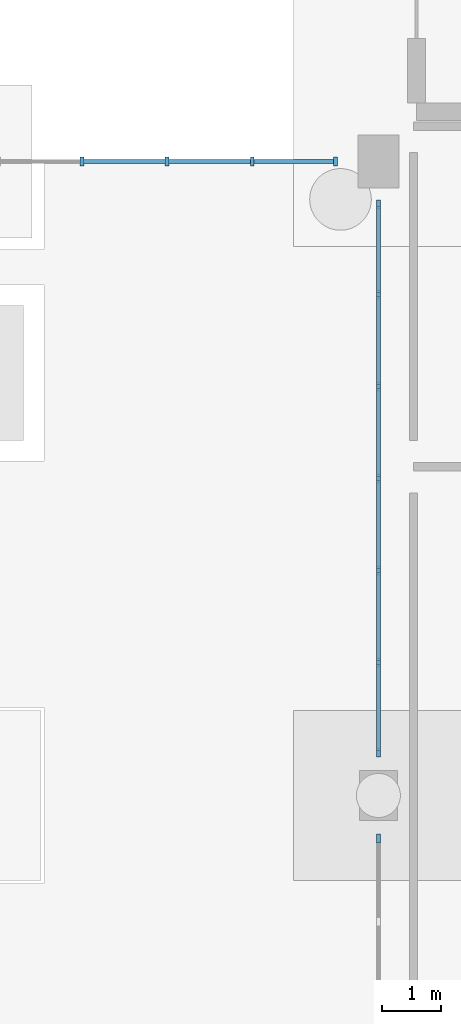
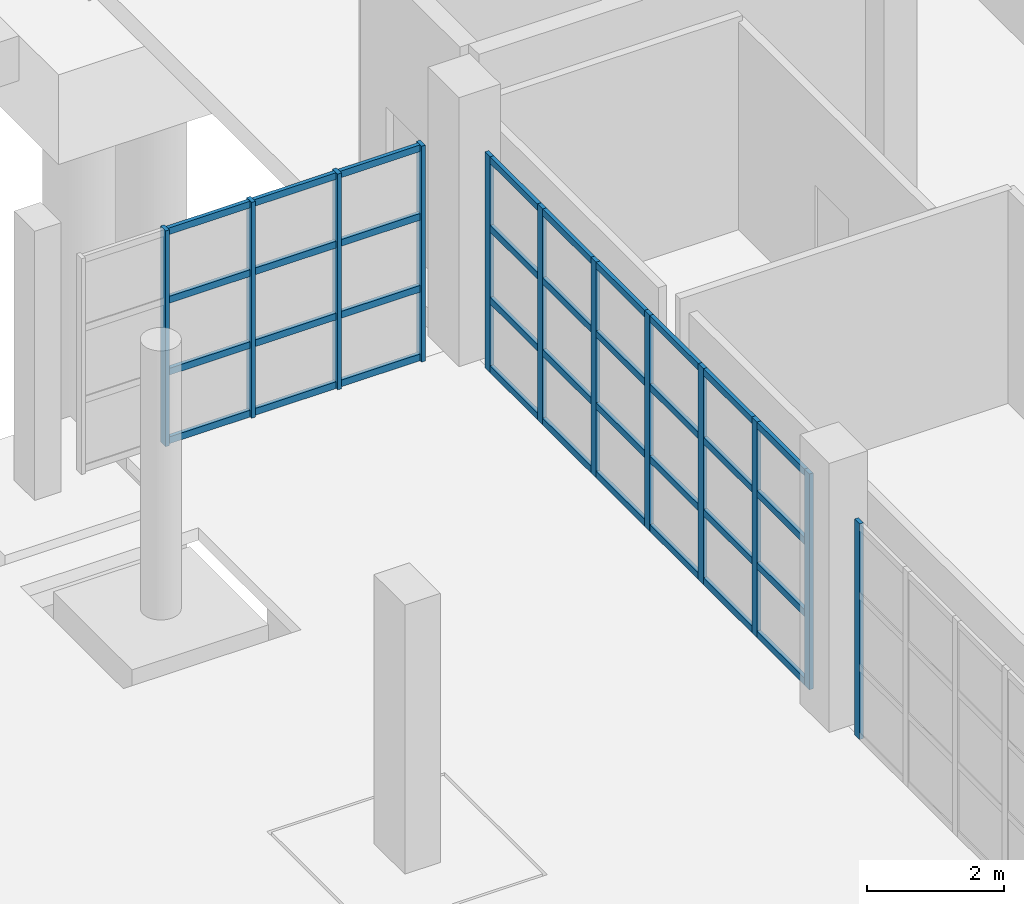
# One storey, part 115 of 285: 48 members, 3 elements without a shape of their own.
"""IFC4 building model written with IfcOpenShell, lengths in metres."""

from ifc_helpers import new_model, si_unit, direction, frame, origin, origin_2d, place, context, subcontext, project, spatial, rectangle, extrude, material, material_profile, profile_set, type_object, element, aggregate, save


model = new_model("IFC4")

# Units and contexts
model_context = context("Model", 3, precision=1e-05, world=origin(), true_north=direction((0.0, 1.0)))
body_context = subcontext(model_context, "Body", "Model", "MODEL_VIEW")
ifc_project = project(units=[si_unit("LENGTHUNIT", "METRE"), si_unit("AREAUNIT", "SQUARE_METRE"), si_unit("VOLUMEUNIT", "CUBIC_METRE"), si_unit("PLANEANGLEUNIT", "RADIAN"), si_unit("MASSUNIT", "GRAM", prefix="KILO")], contexts=[model_context])

# Site, building, storey
site_placement = place(None, origin())
site = spatial("IfcSite", under=ifc_project, at=site_placement, CompositionType="ELEMENT")
building_placement = place(site_placement, origin())
building = spatial("IfcBuilding", under=site, at=building_placement, Name="Solanera Park Tramway Depot", CompositionType="ELEMENT")
storey_placement = place(building_placement, origin())
storey = spatial("IfcBuildingStorey", under=building, at=storey_placement, Name="L00", CompositionType="ELEMENT", Elevation=0.0)

# Curtain wall, members
ifc_material_1 = material(Name="Bronze-anodised thermally broken aluminium curtain wall", Category="aluminium")
curtain_wall_type = type_object("IfcCurtainWallType", Name="Courtyard Cloister Unitised Curtain Wall", PredefinedType="NOTDEFINED", material=ifc_material_1)
curtain_wall_1_placement = place(storey_placement, origin())
curtain_wall_1 = element("IfcCurtainWall", 1, at=curtain_wall_1_placement, inside=storey, type_object=curtain_wall_type, Name="L00 Courtyard Cloister Unitised Curtain Wall #083", PredefinedType="NOTDEFINED")
ifc_material_2 = material(Name="Bronze-anodised structural aluminium 6063-T6", Category="aluminium")
ifc_material_profile_1 = material_profile(ifc_material_2, rectangle(XDim=0.06494140625, YDim=0.14990234375, at=origin_2d()), Name="Curtain Wall Mullion 65x150")
ifc_profile_set_1 = profile_set([ifc_material_profile_1], Name="Bronze-anodised structural aluminium 6063-T6")
member_type_1 = type_object("IfcMemberType", Name="Curtain Wall Mullion 65x150", PredefinedType="MULLION", material=ifc_profile_set_1)
member_1_placement = place(storey_placement, frame((164.867431640625, 43.199951171875, 0.0), z_axis=(0.0, 0.0, 1.0), x_axis=(1.0, 0.0, 0.0)))
member_1 = element("IfcMember", 2, at=member_1_placement, type_object=member_type_1, Name="CW-L00-083 Mullion 1", PredefinedType="MULLION", context=body_context, shape_type="SweptSolid", body=[
    extrude(rectangle(XDim=0.06494140625, YDim=0.14990234375, at=origin_2d()), origin(), (0.0, 0.0, 1.0), 3.85009765625),
])
member_2_placement = place(storey_placement, frame((163.449951171875, 43.199951171875, 0.0), z_axis=(0.0, 0.0, 1.0), x_axis=(1.0, 0.0, 0.0)))
member_2 = element("IfcMember", 3, at=member_2_placement, type_object=member_type_1, Name="CW-L00-083 Mullion 2", PredefinedType="MULLION", context=body_context, shape_type="SweptSolid", body=[
    extrude(rectangle(XDim=0.06494140625, YDim=0.14990234375, at=origin_2d()), origin(), (0.0, 0.0, 1.0), 3.85009765625),
])
member_3_placement = place(storey_placement, frame((162.0, 43.199951171875, 0.0), z_axis=(0.0, 0.0, 1.0), x_axis=(1.0, 0.0, 0.0)))
member_3 = element("IfcMember", 4, at=member_3_placement, type_object=member_type_1, Name="CW-L00-083 Mullion 3", PredefinedType="MULLION", context=body_context, shape_type="SweptSolid", body=[
    extrude(rectangle(XDim=0.06494140625, YDim=0.14990234375, at=origin_2d()), origin(), (0.0, 0.0, 1.0), 3.85009765625),
])
member_4_placement = place(storey_placement, frame((160.550048828125, 43.199951171875, 0.0), z_axis=(0.0, 0.0, 1.0), x_axis=(1.0, 0.0, 0.0)))
member_4 = element("IfcMember", 5, at=member_4_placement, type_object=member_type_1, Name="CW-L00-083 Mullion 4", PredefinedType="MULLION", context=body_context, shape_type="SweptSolid", body=[
    extrude(rectangle(XDim=0.06494140625, YDim=0.14990234375, at=origin_2d()), origin(), (0.0, 0.0, 1.0), 3.85009765625),
])

# Curtain wall, member
curtain_wall_2_placement = place(storey_placement, origin())
curtain_wall_2 = element("IfcCurtainWall", 6, at=curtain_wall_2_placement, inside=storey, type_object=curtain_wall_type, Name="L00 Courtyard Cloister Unitised Curtain Wall #085", PredefinedType="NOTDEFINED")
member_5_placement = place(storey_placement, frame((165.60009765625, 31.66748046875, 0.0), z_axis=(0.0, 0.0, 1.0), x_axis=(1.0, 0.0, 0.0)))
member_5 = element("IfcMember", 7, at=member_5_placement, type_object=member_type_1, Name="CW-L00-085 Mullion 1", PredefinedType="MULLION", context=body_context, shape_type="SweptSolid", body=[
    extrude(rectangle(XDim=0.06494140625, YDim=0.14990234375, at=origin_2d()), origin(), (0.0, 0.0, 1.0), 3.85009765625),
])
aggregate(curtain_wall_2, [member_5])

# Curtain wall, members
curtain_wall_3_placement = place(storey_placement, origin())
curtain_wall_3 = element("IfcCurtainWall", 8, at=curtain_wall_3_placement, inside=storey, type_object=curtain_wall_type, Name="L00 Courtyard Cloister Unitised Curtain Wall #087", PredefinedType="NOTDEFINED")
member_6_placement = place(storey_placement, frame((165.60009765625, 42.467529296875, 0.0), z_axis=(0.0, 0.0, 1.0), x_axis=(1.0, 0.0, 0.0)))
member_6 = element("IfcMember", 9, at=member_6_placement, type_object=member_type_1, Name="CW-L00-087 Mullion 1", PredefinedType="MULLION", context=body_context, shape_type="SweptSolid", body=[
    extrude(rectangle(XDim=0.06494140625, YDim=0.14990234375, at=origin_2d()), origin(), (0.0, 0.0, 1.0), 3.85009765625),
])
member_7_placement = place(storey_placement, frame((165.60009765625, 40.933349609375, 0.0), z_axis=(0.0, 0.0, 1.0), x_axis=(1.0, 0.0, 0.0)))
member_7 = element("IfcMember", 10, at=member_7_placement, type_object=member_type_1, Name="CW-L00-087 Mullion 2", PredefinedType="MULLION", context=body_context, shape_type="SweptSolid", body=[
    extrude(rectangle(XDim=0.06494140625, YDim=0.14990234375, at=origin_2d()), origin(), (0.0, 0.0, 1.0), 3.85009765625),
])
member_8_placement = place(storey_placement, frame((165.60009765625, 39.36669921875, 0.0), z_axis=(0.0, 0.0, 1.0), x_axis=(1.0, 0.0, 0.0)))
member_8 = element("IfcMember", 11, at=member_8_placement, type_object=member_type_1, Name="CW-L00-087 Mullion 3", PredefinedType="MULLION", context=body_context, shape_type="SweptSolid", body=[
    extrude(rectangle(XDim=0.06494140625, YDim=0.14990234375, at=origin_2d()), origin(), (0.0, 0.0, 1.0), 3.85009765625),
])
member_9_placement = place(storey_placement, frame((165.60009765625, 37.800048828125, 0.0), z_axis=(0.0, 0.0, 1.0), x_axis=(1.0, 0.0, 0.0)))
member_9 = element("IfcMember", 12, at=member_9_placement, type_object=member_type_1, Name="CW-L00-087 Mullion 4", PredefinedType="MULLION", context=body_context, shape_type="SweptSolid", body=[
    extrude(rectangle(XDim=0.06494140625, YDim=0.14990234375, at=origin_2d()), origin(), (0.0, 0.0, 1.0), 3.85009765625),
])
member_10_placement = place(storey_placement, frame((165.60009765625, 36.2333984375, 0.0), z_axis=(0.0, 0.0, 1.0), x_axis=(1.0, 0.0, 0.0)))
member_10 = element("IfcMember", 13, at=member_10_placement, type_object=member_type_1, Name="CW-L00-087 Mullion 5", PredefinedType="MULLION", context=body_context, shape_type="SweptSolid", body=[
    extrude(rectangle(XDim=0.06494140625, YDim=0.14990234375, at=origin_2d()), origin(), (0.0, 0.0, 1.0), 3.85009765625),
])
member_11_placement = place(storey_placement, frame((165.60009765625, 34.666748046875, 0.0), z_axis=(0.0, 0.0, 1.0), x_axis=(1.0, 0.0, 0.0)))
member_11 = element("IfcMember", 14, at=member_11_placement, type_object=member_type_1, Name="CW-L00-087 Mullion 6", PredefinedType="MULLION", context=body_context, shape_type="SweptSolid", body=[
    extrude(rectangle(XDim=0.06494140625, YDim=0.14990234375, at=origin_2d()), origin(), (0.0, 0.0, 1.0), 3.85009765625),
])
member_12_placement = place(storey_placement, frame((165.60009765625, 33.132568359375, 0.0), z_axis=(0.0, 0.0, 1.0), x_axis=(1.0, 0.0, 0.0)))
member_12 = element("IfcMember", 15, at=member_12_placement, type_object=member_type_1, Name="CW-L00-087 Mullion 7", PredefinedType="MULLION", context=body_context, shape_type="SweptSolid", body=[
    extrude(rectangle(XDim=0.06494140625, YDim=0.14990234375, at=origin_2d()), origin(), (0.0, 0.0, 1.0), 3.85009765625),
])

# Member
ifc_material_3 = material(Name="Bronze-anodised structural aluminium 6063-T6", Category="aluminium")
ifc_material_profile_2 = material_profile(ifc_material_3, rectangle(XDim=0.06494140625, YDim=0.1201171875, at=origin_2d()), Name="Curtain Wall Transom 65x120")
ifc_profile_set_2 = profile_set([ifc_material_profile_2], Name="Bronze-anodised structural aluminium 6063-T6")
member_type_2 = type_object("IfcMemberType", Name="Curtain Wall Transom 65x120", PredefinedType="USERDEFINED", material=ifc_profile_set_2)
member_13_placement = place(storey_placement, frame((164.839599609375, 43.199951171875, 0.06005859375), z_axis=(-1.0, 0.0, 0.0), x_axis=(0.0, -1.0, 0.0)))
member_13 = element("IfcMember", 16, at=member_13_placement, type_object=member_type_2, Name="CW-L00-083 Transom R1.C1", ObjectType="TRANSOM", PredefinedType="USERDEFINED", context=body_context, shape_type="SweptSolid", body=[
    extrude(rectangle(XDim=0.06494140625, YDim=0.1201171875, at=origin_2d()), origin(), (0.0, 0.0, 1.0), 1.361572265625),
])

member_14_placement = place(storey_placement, frame((163.422119140625, 43.199951171875, 0.06005859375), z_axis=(-1.0, 0.0, 0.0), x_axis=(0.0, -1.0, 0.0)))
member_14 = element("IfcMember", 17, at=member_14_placement, type_object=member_type_2, Name="CW-L00-083 Transom R1.C2", ObjectType="TRANSOM", PredefinedType="USERDEFINED", context=body_context, shape_type="SweptSolid", body=[
    extrude(rectangle(XDim=0.06494140625, YDim=0.1201171875, at=origin_2d()), origin(), (0.0, 0.0, 1.0), 1.39404296875),
])

member_15_placement = place(storey_placement, frame((161.971923828125, 43.199951171875, 0.06005859375), z_axis=(-1.0, 0.0, 0.0), x_axis=(0.0, -1.0, 0.0)))
member_15 = element("IfcMember", 18, at=member_15_placement, type_object=member_type_2, Name="CW-L00-083 Transom R1.C3", ObjectType="TRANSOM", PredefinedType="USERDEFINED", context=body_context, shape_type="SweptSolid", body=[
    extrude(rectangle(XDim=0.06494140625, YDim=0.1201171875, at=origin_2d()), origin(), (0.0, 0.0, 1.0), 1.39404296875),
])

member_16_placement = place(storey_placement, frame((164.839599609375, 43.199951171875, 1.283203125), z_axis=(-1.0, 0.0, 0.0), x_axis=(0.0, -1.0, 0.0)))
member_16 = element("IfcMember", 19, at=member_16_placement, type_object=member_type_2, Name="CW-L00-083 Transom R2.C1", ObjectType="TRANSOM", PredefinedType="USERDEFINED", context=body_context, shape_type="SweptSolid", body=[
    extrude(rectangle(XDim=0.06494140625, YDim=0.1201171875, at=origin_2d()), origin(), (0.0, 0.0, 1.0), 1.361572265625),
])

member_17_placement = place(storey_placement, frame((163.422119140625, 43.199951171875, 1.283203125), z_axis=(-1.0, 0.0, 0.0), x_axis=(0.0, -1.0, 0.0)))
member_17 = element("IfcMember", 20, at=member_17_placement, type_object=member_type_2, Name="CW-L00-083 Transom R2.C2", ObjectType="TRANSOM", PredefinedType="USERDEFINED", context=body_context, shape_type="SweptSolid", body=[
    extrude(rectangle(XDim=0.06494140625, YDim=0.1201171875, at=origin_2d()), origin(), (0.0, 0.0, 1.0), 1.39404296875),
])

member_18_placement = place(storey_placement, frame((161.971923828125, 43.199951171875, 1.283203125), z_axis=(-1.0, 0.0, 0.0), x_axis=(0.0, -1.0, 0.0)))
member_18 = element("IfcMember", 21, at=member_18_placement, type_object=member_type_2, Name="CW-L00-083 Transom R2.C3", ObjectType="TRANSOM", PredefinedType="USERDEFINED", context=body_context, shape_type="SweptSolid", body=[
    extrude(rectangle(XDim=0.06494140625, YDim=0.1201171875, at=origin_2d()), origin(), (0.0, 0.0, 1.0), 1.39404296875),
])

member_19_placement = place(storey_placement, frame((164.839599609375, 43.199951171875, 2.566650390625), z_axis=(-1.0, 0.0, 0.0), x_axis=(0.0, -1.0, 0.0)))
member_19 = element("IfcMember", 22, at=member_19_placement, type_object=member_type_2, Name="CW-L00-083 Transom R3.C1", ObjectType="TRANSOM", PredefinedType="USERDEFINED", context=body_context, shape_type="SweptSolid", body=[
    extrude(rectangle(XDim=0.06494140625, YDim=0.1201171875, at=origin_2d()), origin(), (0.0, 0.0, 1.0), 1.361572265625),
])

member_20_placement = place(storey_placement, frame((163.422119140625, 43.199951171875, 2.566650390625), z_axis=(-1.0, 0.0, 0.0), x_axis=(0.0, -1.0, 0.0)))
member_20 = element("IfcMember", 23, at=member_20_placement, type_object=member_type_2, Name="CW-L00-083 Transom R3.C2", ObjectType="TRANSOM", PredefinedType="USERDEFINED", context=body_context, shape_type="SweptSolid", body=[
    extrude(rectangle(XDim=0.06494140625, YDim=0.1201171875, at=origin_2d()), origin(), (0.0, 0.0, 1.0), 1.39404296875),
])

member_21_placement = place(storey_placement, frame((161.971923828125, 43.199951171875, 2.566650390625), z_axis=(-1.0, 0.0, 0.0), x_axis=(0.0, -1.0, 0.0)))
member_21 = element("IfcMember", 24, at=member_21_placement, type_object=member_type_2, Name="CW-L00-083 Transom R3.C3", ObjectType="TRANSOM", PredefinedType="USERDEFINED", context=body_context, shape_type="SweptSolid", body=[
    extrude(rectangle(XDim=0.06494140625, YDim=0.1201171875, at=origin_2d()), origin(), (0.0, 0.0, 1.0), 1.39404296875),
])

member_22_placement = place(storey_placement, frame((164.839599609375, 43.199951171875, 3.7900390625), z_axis=(-1.0, 0.0, 0.0), x_axis=(0.0, -1.0, 0.0)))
member_22 = element("IfcMember", 25, at=member_22_placement, type_object=member_type_2, Name="CW-L00-083 Transom R4.C1", ObjectType="TRANSOM", PredefinedType="USERDEFINED", context=body_context, shape_type="SweptSolid", body=[
    extrude(rectangle(XDim=0.06494140625, YDim=0.1201171875, at=origin_2d()), origin(), (0.0, 0.0, 1.0), 1.361572265625),
])

member_23_placement = place(storey_placement, frame((163.422119140625, 43.199951171875, 3.7900390625), z_axis=(-1.0, 0.0, 0.0), x_axis=(0.0, -1.0, 0.0)))
member_23 = element("IfcMember", 26, at=member_23_placement, type_object=member_type_2, Name="CW-L00-083 Transom R4.C2", ObjectType="TRANSOM", PredefinedType="USERDEFINED", context=body_context, shape_type="SweptSolid", body=[
    extrude(rectangle(XDim=0.06494140625, YDim=0.1201171875, at=origin_2d()), origin(), (0.0, 0.0, 1.0), 1.39404296875),
])

member_24_placement = place(storey_placement, frame((161.971923828125, 43.199951171875, 3.7900390625), z_axis=(-1.0, 0.0, 0.0), x_axis=(0.0, -1.0, 0.0)))
member_24 = element("IfcMember", 27, at=member_24_placement, type_object=member_type_2, Name="CW-L00-083 Transom R4.C3", ObjectType="TRANSOM", PredefinedType="USERDEFINED", context=body_context, shape_type="SweptSolid", body=[
    extrude(rectangle(XDim=0.06494140625, YDim=0.1201171875, at=origin_2d()), origin(), (0.0, 0.0, 1.0), 1.39404296875),
])

aggregate(curtain_wall_1, [member_1, member_2, member_3, member_4, member_13, member_14, member_15, member_16, member_17, member_18, member_19, member_20, member_21, member_22, member_23, member_24])

member_25_placement = place(storey_placement, frame((165.60009765625, 42.439453125, 0.06005859375), z_axis=(0.0, -1.0, 0.0), x_axis=(1.0, 0.0, 0.0)))
member_25 = element("IfcMember", 28, at=member_25_placement, type_object=member_type_2, Name="CW-L00-087 Transom R1.C1", ObjectType="TRANSOM", PredefinedType="USERDEFINED", context=body_context, shape_type="SweptSolid", body=[
    extrude(rectangle(XDim=0.06494140625, YDim=0.1201171875, at=origin_2d()), origin(), (0.0, 0.0, 1.0), 1.478271484375),
])

member_26_placement = place(storey_placement, frame((165.60009765625, 40.9052734375, 0.06005859375), z_axis=(0.0, -1.0, 0.0), x_axis=(1.0, 0.0, 0.0)))
member_26 = element("IfcMember", 29, at=member_26_placement, type_object=member_type_2, Name="CW-L00-087 Transom R1.C2", ObjectType="TRANSOM", PredefinedType="USERDEFINED", context=body_context, shape_type="SweptSolid", body=[
    extrude(rectangle(XDim=0.06494140625, YDim=0.1201171875, at=origin_2d()), origin(), (0.0, 0.0, 1.0), 1.510498046875),
])

member_27_placement = place(storey_placement, frame((165.60009765625, 39.338623046875, 0.06005859375), z_axis=(0.0, -1.0, 0.0), x_axis=(1.0, 0.0, 0.0)))
member_27 = element("IfcMember", 30, at=member_27_placement, type_object=member_type_2, Name="CW-L00-087 Transom R1.C3", ObjectType="TRANSOM", PredefinedType="USERDEFINED", context=body_context, shape_type="SweptSolid", body=[
    extrude(rectangle(XDim=0.06494140625, YDim=0.1201171875, at=origin_2d()), origin(), (0.0, 0.0, 1.0), 1.5107421875),
])

member_28_placement = place(storey_placement, frame((165.60009765625, 37.77197265625, 0.06005859375), z_axis=(0.0, -1.0, 0.0), x_axis=(1.0, 0.0, 0.0)))
member_28 = element("IfcMember", 31, at=member_28_placement, type_object=member_type_2, Name="CW-L00-087 Transom R1.C4", ObjectType="TRANSOM", PredefinedType="USERDEFINED", context=body_context, shape_type="SweptSolid", body=[
    extrude(rectangle(XDim=0.06494140625, YDim=0.1201171875, at=origin_2d()), origin(), (0.0, 0.0, 1.0), 1.5107421875),
])

member_29_placement = place(storey_placement, frame((165.60009765625, 36.205322265625, 0.06005859375), z_axis=(0.0, -1.0, 0.0), x_axis=(1.0, 0.0, 0.0)))
member_29 = element("IfcMember", 32, at=member_29_placement, type_object=member_type_2, Name="CW-L00-087 Transom R1.C5", ObjectType="TRANSOM", PredefinedType="USERDEFINED", context=body_context, shape_type="SweptSolid", body=[
    extrude(rectangle(XDim=0.06494140625, YDim=0.1201171875, at=origin_2d()), origin(), (0.0, 0.0, 1.0), 1.5107421875),
])

member_30_placement = place(storey_placement, frame((165.60009765625, 34.638671875, 0.06005859375), z_axis=(0.0, -1.0, 0.0), x_axis=(1.0, 0.0, 0.0)))
member_30 = element("IfcMember", 33, at=member_30_placement, type_object=member_type_2, Name="CW-L00-087 Transom R1.C6", ObjectType="TRANSOM", PredefinedType="USERDEFINED", context=body_context, shape_type="SweptSolid", body=[
    extrude(rectangle(XDim=0.06494140625, YDim=0.1201171875, at=origin_2d()), origin(), (0.0, 0.0, 1.0), 1.478271484375),
])

member_31_placement = place(storey_placement, frame((165.60009765625, 42.439453125, 1.283203125), z_axis=(0.0, -1.0, 0.0), x_axis=(1.0, 0.0, 0.0)))
member_31 = element("IfcMember", 34, at=member_31_placement, type_object=member_type_2, Name="CW-L00-087 Transom R2.C1", ObjectType="TRANSOM", PredefinedType="USERDEFINED", context=body_context, shape_type="SweptSolid", body=[
    extrude(rectangle(XDim=0.06494140625, YDim=0.1201171875, at=origin_2d()), origin(), (0.0, 0.0, 1.0), 1.478271484375),
])

member_32_placement = place(storey_placement, frame((165.60009765625, 40.9052734375, 1.283203125), z_axis=(0.0, -1.0, 0.0), x_axis=(1.0, 0.0, 0.0)))
member_32 = element("IfcMember", 35, at=member_32_placement, type_object=member_type_2, Name="CW-L00-087 Transom R2.C2", ObjectType="TRANSOM", PredefinedType="USERDEFINED", context=body_context, shape_type="SweptSolid", body=[
    extrude(rectangle(XDim=0.06494140625, YDim=0.1201171875, at=origin_2d()), origin(), (0.0, 0.0, 1.0), 1.510498046875),
])

member_33_placement = place(storey_placement, frame((165.60009765625, 39.338623046875, 1.283203125), z_axis=(0.0, -1.0, 0.0), x_axis=(1.0, 0.0, 0.0)))
member_33 = element("IfcMember", 36, at=member_33_placement, type_object=member_type_2, Name="CW-L00-087 Transom R2.C3", ObjectType="TRANSOM", PredefinedType="USERDEFINED", context=body_context, shape_type="SweptSolid", body=[
    extrude(rectangle(XDim=0.06494140625, YDim=0.1201171875, at=origin_2d()), origin(), (0.0, 0.0, 1.0), 1.5107421875),
])

member_34_placement = place(storey_placement, frame((165.60009765625, 37.77197265625, 1.283203125), z_axis=(0.0, -1.0, 0.0), x_axis=(1.0, 0.0, 0.0)))
member_34 = element("IfcMember", 37, at=member_34_placement, type_object=member_type_2, Name="CW-L00-087 Transom R2.C4", ObjectType="TRANSOM", PredefinedType="USERDEFINED", context=body_context, shape_type="SweptSolid", body=[
    extrude(rectangle(XDim=0.06494140625, YDim=0.1201171875, at=origin_2d()), origin(), (0.0, 0.0, 1.0), 1.5107421875),
])

member_35_placement = place(storey_placement, frame((165.60009765625, 36.205322265625, 1.283203125), z_axis=(0.0, -1.0, 0.0), x_axis=(1.0, 0.0, 0.0)))
member_35 = element("IfcMember", 38, at=member_35_placement, type_object=member_type_2, Name="CW-L00-087 Transom R2.C5", ObjectType="TRANSOM", PredefinedType="USERDEFINED", context=body_context, shape_type="SweptSolid", body=[
    extrude(rectangle(XDim=0.06494140625, YDim=0.1201171875, at=origin_2d()), origin(), (0.0, 0.0, 1.0), 1.5107421875),
])

member_36_placement = place(storey_placement, frame((165.60009765625, 34.638671875, 1.283203125), z_axis=(0.0, -1.0, 0.0), x_axis=(1.0, 0.0, 0.0)))
member_36 = element("IfcMember", 39, at=member_36_placement, type_object=member_type_2, Name="CW-L00-087 Transom R2.C6", ObjectType="TRANSOM", PredefinedType="USERDEFINED", context=body_context, shape_type="SweptSolid", body=[
    extrude(rectangle(XDim=0.06494140625, YDim=0.1201171875, at=origin_2d()), origin(), (0.0, 0.0, 1.0), 1.478271484375),
])

member_37_placement = place(storey_placement, frame((165.60009765625, 42.439453125, 2.566650390625), z_axis=(0.0, -1.0, 0.0), x_axis=(1.0, 0.0, 0.0)))
member_37 = element("IfcMember", 40, at=member_37_placement, type_object=member_type_2, Name="CW-L00-087 Transom R3.C1", ObjectType="TRANSOM", PredefinedType="USERDEFINED", context=body_context, shape_type="SweptSolid", body=[
    extrude(rectangle(XDim=0.06494140625, YDim=0.1201171875, at=origin_2d()), origin(), (0.0, 0.0, 1.0), 1.478271484375),
])

member_38_placement = place(storey_placement, frame((165.60009765625, 40.9052734375, 2.566650390625), z_axis=(0.0, -1.0, 0.0), x_axis=(1.0, 0.0, 0.0)))
member_38 = element("IfcMember", 41, at=member_38_placement, type_object=member_type_2, Name="CW-L00-087 Transom R3.C2", ObjectType="TRANSOM", PredefinedType="USERDEFINED", context=body_context, shape_type="SweptSolid", body=[
    extrude(rectangle(XDim=0.06494140625, YDim=0.1201171875, at=origin_2d()), origin(), (0.0, 0.0, 1.0), 1.510498046875),
])

member_39_placement = place(storey_placement, frame((165.60009765625, 39.338623046875, 2.566650390625), z_axis=(0.0, -1.0, 0.0), x_axis=(1.0, 0.0, 0.0)))
member_39 = element("IfcMember", 42, at=member_39_placement, type_object=member_type_2, Name="CW-L00-087 Transom R3.C3", ObjectType="TRANSOM", PredefinedType="USERDEFINED", context=body_context, shape_type="SweptSolid", body=[
    extrude(rectangle(XDim=0.06494140625, YDim=0.1201171875, at=origin_2d()), origin(), (0.0, 0.0, 1.0), 1.5107421875),
])

member_40_placement = place(storey_placement, frame((165.60009765625, 37.77197265625, 2.566650390625), z_axis=(0.0, -1.0, 0.0), x_axis=(1.0, 0.0, 0.0)))
member_40 = element("IfcMember", 43, at=member_40_placement, type_object=member_type_2, Name="CW-L00-087 Transom R3.C4", ObjectType="TRANSOM", PredefinedType="USERDEFINED", context=body_context, shape_type="SweptSolid", body=[
    extrude(rectangle(XDim=0.06494140625, YDim=0.1201171875, at=origin_2d()), origin(), (0.0, 0.0, 1.0), 1.5107421875),
])

member_41_placement = place(storey_placement, frame((165.60009765625, 36.205322265625, 2.566650390625), z_axis=(0.0, -1.0, 0.0), x_axis=(1.0, 0.0, 0.0)))
member_41 = element("IfcMember", 44, at=member_41_placement, type_object=member_type_2, Name="CW-L00-087 Transom R3.C5", ObjectType="TRANSOM", PredefinedType="USERDEFINED", context=body_context, shape_type="SweptSolid", body=[
    extrude(rectangle(XDim=0.06494140625, YDim=0.1201171875, at=origin_2d()), origin(), (0.0, 0.0, 1.0), 1.5107421875),
])

member_42_placement = place(storey_placement, frame((165.60009765625, 34.638671875, 2.566650390625), z_axis=(0.0, -1.0, 0.0), x_axis=(1.0, 0.0, 0.0)))
member_42 = element("IfcMember", 45, at=member_42_placement, type_object=member_type_2, Name="CW-L00-087 Transom R3.C6", ObjectType="TRANSOM", PredefinedType="USERDEFINED", context=body_context, shape_type="SweptSolid", body=[
    extrude(rectangle(XDim=0.06494140625, YDim=0.1201171875, at=origin_2d()), origin(), (0.0, 0.0, 1.0), 1.478271484375),
])

member_43_placement = place(storey_placement, frame((165.60009765625, 42.439453125, 3.7900390625), z_axis=(0.0, -1.0, 0.0), x_axis=(1.0, 0.0, 0.0)))
member_43 = element("IfcMember", 46, at=member_43_placement, type_object=member_type_2, Name="CW-L00-087 Transom R4.C1", ObjectType="TRANSOM", PredefinedType="USERDEFINED", context=body_context, shape_type="SweptSolid", body=[
    extrude(rectangle(XDim=0.06494140625, YDim=0.1201171875, at=origin_2d()), origin(), (0.0, 0.0, 1.0), 1.478271484375),
])

member_44_placement = place(storey_placement, frame((165.60009765625, 40.9052734375, 3.7900390625), z_axis=(0.0, -1.0, 0.0), x_axis=(1.0, 0.0, 0.0)))
member_44 = element("IfcMember", 47, at=member_44_placement, type_object=member_type_2, Name="CW-L00-087 Transom R4.C2", ObjectType="TRANSOM", PredefinedType="USERDEFINED", context=body_context, shape_type="SweptSolid", body=[
    extrude(rectangle(XDim=0.06494140625, YDim=0.1201171875, at=origin_2d()), origin(), (0.0, 0.0, 1.0), 1.510498046875),
])

member_45_placement = place(storey_placement, frame((165.60009765625, 39.338623046875, 3.7900390625), z_axis=(0.0, -1.0, 0.0), x_axis=(1.0, 0.0, 0.0)))
member_45 = element("IfcMember", 48, at=member_45_placement, type_object=member_type_2, Name="CW-L00-087 Transom R4.C3", ObjectType="TRANSOM", PredefinedType="USERDEFINED", context=body_context, shape_type="SweptSolid", body=[
    extrude(rectangle(XDim=0.06494140625, YDim=0.1201171875, at=origin_2d()), origin(), (0.0, 0.0, 1.0), 1.5107421875),
])

member_46_placement = place(storey_placement, frame((165.60009765625, 37.77197265625, 3.7900390625), z_axis=(0.0, -1.0, 0.0), x_axis=(1.0, 0.0, 0.0)))
member_46 = element("IfcMember", 49, at=member_46_placement, type_object=member_type_2, Name="CW-L00-087 Transom R4.C4", ObjectType="TRANSOM", PredefinedType="USERDEFINED", context=body_context, shape_type="SweptSolid", body=[
    extrude(rectangle(XDim=0.06494140625, YDim=0.1201171875, at=origin_2d()), origin(), (0.0, 0.0, 1.0), 1.5107421875),
])

member_47_placement = place(storey_placement, frame((165.60009765625, 36.205322265625, 3.7900390625), z_axis=(0.0, -1.0, 0.0), x_axis=(1.0, 0.0, 0.0)))
member_47 = element("IfcMember", 50, at=member_47_placement, type_object=member_type_2, Name="CW-L00-087 Transom R4.C5", ObjectType="TRANSOM", PredefinedType="USERDEFINED", context=body_context, shape_type="SweptSolid", body=[
    extrude(rectangle(XDim=0.06494140625, YDim=0.1201171875, at=origin_2d()), origin(), (0.0, 0.0, 1.0), 1.5107421875),
])

member_48_placement = place(storey_placement, frame((165.60009765625, 34.638671875, 3.7900390625), z_axis=(0.0, -1.0, 0.0), x_axis=(1.0, 0.0, 0.0)))
member_48 = element("IfcMember", 51, at=member_48_placement, type_object=member_type_2, Name="CW-L00-087 Transom R4.C6", ObjectType="TRANSOM", PredefinedType="USERDEFINED", context=body_context, shape_type="SweptSolid", body=[
    extrude(rectangle(XDim=0.06494140625, YDim=0.1201171875, at=origin_2d()), origin(), (0.0, 0.0, 1.0), 1.478271484375),
])

aggregate(curtain_wall_3, [member_6, member_7, member_8, member_9, member_10, member_11, member_12, member_25, member_26, member_27, member_28, member_29, member_30, member_31, member_32, member_33, member_34, member_35, member_36, member_37, member_38, member_39, member_40, member_41, member_42, member_43, member_44, member_45, member_46, member_47, member_48])

save(model, "model.ifc")
